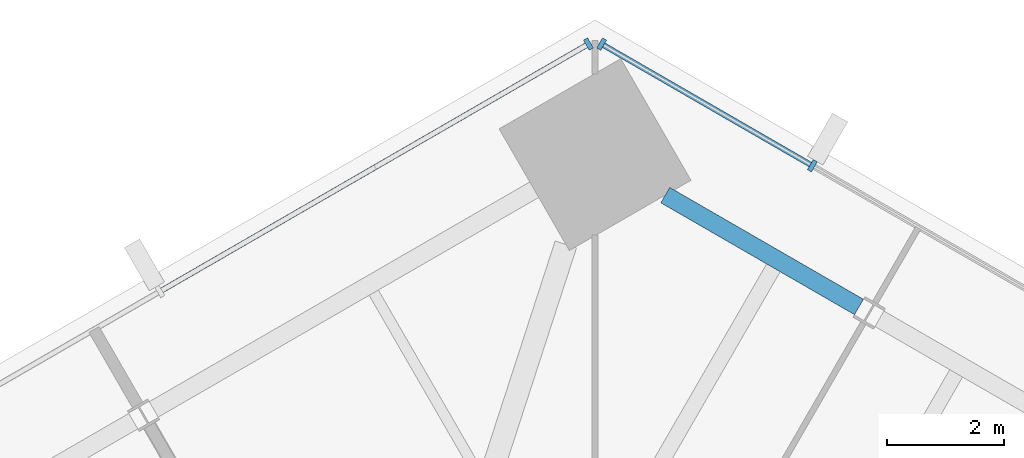
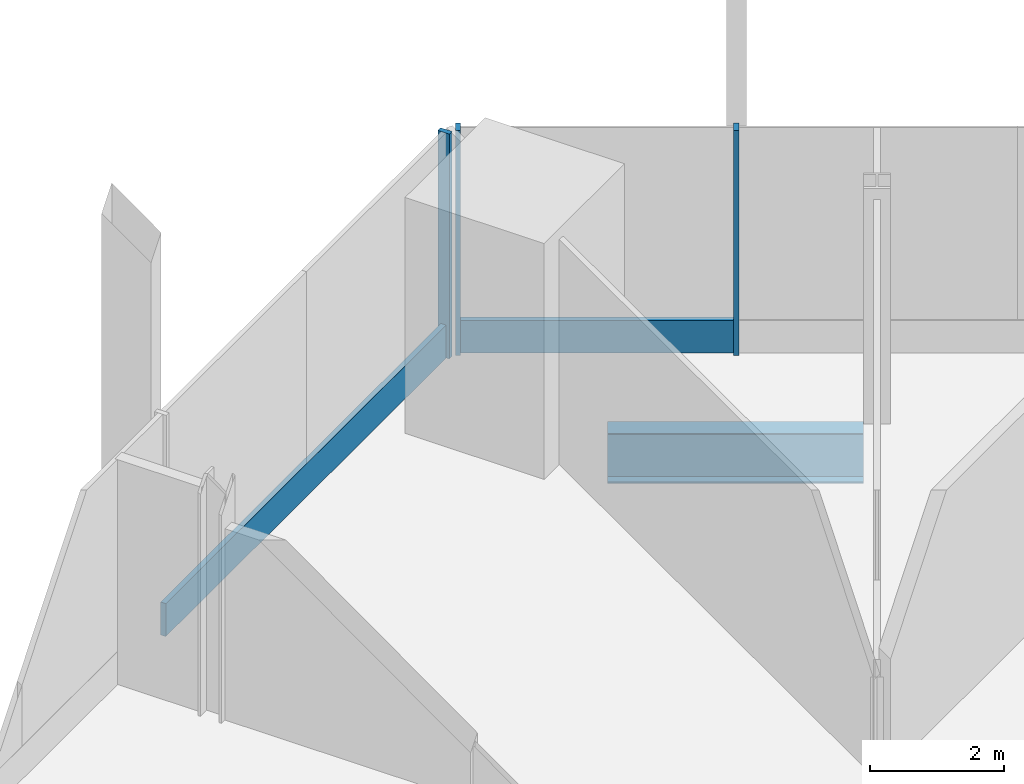
# One storey, part 8 of 19: 5 members, 1 beam, 2 elements without a shape of their own.
"""IFC4 building model written with IfcOpenShell, lengths in metres."""

from ifc_helpers import new_model, si_unit, direction, frame, origin, origin_2d, place, context, subcontext, project, spatial, rectangle, i_section, extrude, source, transform, mapped, material, material_profile, profile_set, type_object, element, aggregate, save


model = new_model("IFC4")

# Units and contexts
model_context = context("Model", 3, precision=1e-05, world=origin(), true_north=direction((0.0, 1.0)))
body_context = subcontext(model_context, "Body", "Model", "MODEL_VIEW")
ifc_project = project(units=[si_unit("LENGTHUNIT", "METRE"), si_unit("AREAUNIT", "SQUARE_METRE"), si_unit("VOLUMEUNIT", "CUBIC_METRE"), si_unit("PLANEANGLEUNIT", "RADIAN"), si_unit("MASSUNIT", "GRAM", prefix="KILO")], contexts=[model_context])

# Site, building, storey
site_placement = place(None, origin())
site = spatial("IfcSite", under=ifc_project, at=site_placement, CompositionType="ELEMENT")
building_placement = place(site_placement, origin())
building = spatial("IfcBuilding", under=site, at=building_placement, Name="Triune Harvest Tower", CompositionType="ELEMENT")
storey_placement = place(building_placement, frame((0.0, 0.0, 24.60009765625)))
storey = spatial("IfcBuildingStorey", under=building, at=storey_placement, Name="L05", CompositionType="ELEMENT", Elevation=24.60009765625)

# Beam
ifc_material_1 = material(Name="Steel ASTM A992 Gr 50", Category="steel")
ifc_material_profile_1 = material_profile(ifc_material_1, i_section(OverallWidth=0.3046875, OverallDepth=0.914306640625, WebThickness=0.0166015625, FlangeThickness=0.02587890625, at=origin_2d()), Name="W36x160")
ifc_profile_set_1 = profile_set([ifc_material_profile_1], Name="Steel ASTM A992 Gr 50")
beam_type = type_object("IfcBeamType", Name="SB-1 Spandrel beam W36x160", PredefinedType="SPANDREL", material=ifc_profile_set_1)
shared_shape_1 = source(origin(), body_context, "Body", "SweptSolid", [
    extrude(i_section(OverallWidth=0.3046875, OverallDepth=0.914306640625, WebThickness=0.0166015625, FlangeThickness=0.02587890625, at=origin_2d()), origin(), (0.0, 0.0, 1.0), 3.822509765625),
])
beam_placement = place(storey_placement, frame((16.8193359375, 29.535888671875, -0.6572265625), z_axis=(-0.866005830769, 0.500033899925, 0.0), x_axis=(-0.500033899925, -0.866005830769, 0.0)))
element("IfcBeam", 1, at=beam_placement, inside=storey, type_object=beam_type, Name="beam/L05/SB8", PredefinedType="SPANDREL", context=body_context, shape_type="MappedRepresentation", body=[
    mapped(shared_shape_1, transform((0.0, 0.0, 0.0), scale=1.0)),
])

# Curtain wall, members
ifc_material_2 = material(Name="Aluminium bronze anodised", Category="aluminium")
curtain_wall_type_1 = type_object("IfcCurtainWallType", Name="CW-3 Farm floor curtain wall", PredefinedType="NOTDEFINED", material=ifc_material_2)
curtain_wall_1_placement = place(storey_placement, origin())
curtain_wall_1 = element("IfcCurtainWall", 2, at=curtain_wall_1_placement, inside=storey, type_object=curtain_wall_type_1, Name="CW-3 B1-F2 L05 run 1")
ifc_material_3 = material(Name="Aluminium bronze anodised", Category="aluminium")
ifc_material_profile_2 = material_profile(ifc_material_3, rectangle(XDim=0.090087890625, YDim=0.60009765625, at=origin_2d()), Name="TR-3 transom 90 x 600")
ifc_profile_set_2 = profile_set([ifc_material_profile_2], Name="Aluminium bronze anodised")
member_type_1 = type_object("IfcMemberType", Name="TR-3 transom 90 x 600", PredefinedType="USERDEFINED", material=ifc_profile_set_2)
shared_shape_2 = source(origin(), body_context, "Body", "SweptSolid", [
    extrude(rectangle(XDim=0.090087890625, YDim=0.60009765625, at=origin_2d()), origin(), (0.0, 0.0, 1.0), 4.077880859375),
])
member_1_placement = place(storey_placement, frame((15.98779296875, 31.9697265625, 0.2998046875), z_axis=(-0.866035038465, 0.499983311872, 0.0), x_axis=(-0.499983311872, -0.866035038465, 0.0)))
member_1 = element("IfcMember", 3, at=member_1_placement, type_object=member_type_1, Name="CW-3 transom B1-F2 1.2", ObjectType="TRANSOM", PredefinedType="USERDEFINED", context=body_context, shape_type="MappedRepresentation", body=[
    mapped(shared_shape_2, transform((0.0, 0.0, 0.0), scale=1.0)),
])
ifc_material_4 = material(Name="Aluminium bronze anodised", Category="aluminium")
ifc_material_profile_3 = material_profile(ifc_material_4, rectangle(XDim=0.199951171875, YDim=0.080078125, at=origin_2d()), Name="MU-3 mullion 80 x 200")
ifc_profile_set_3 = profile_set([ifc_material_profile_3], Name="Aluminium bronze anodised")
member_type_2 = type_object("IfcMemberType", Name="MU-3 mullion 80 x 200", PredefinedType="MULLION", material=ifc_profile_set_3)
shared_shape_3 = source(origin(), body_context, "Body", "SweptSolid", [
    extrude(rectangle(XDim=0.199951171875, YDim=0.080078125, at=origin_2d()), origin(), (0.0, 0.0, 1.0), 4.099853515625),
])
member_2_placement = place(storey_placement, frame((16.0224609375, 31.94970703125, 0.0), z_axis=(0.0, 0.0, 1.0), x_axis=(-0.499998715149, -0.866026145592, 0.0)))
member_2 = element("IfcMember", 4, at=member_2_placement, type_object=member_type_2, Name="CW-3 mullion B1-F2 1.3", PredefinedType="MULLION", context=body_context, shape_type="MappedRepresentation", body=[
    mapped(shared_shape_3, transform((0.0, 0.0, 0.0), scale=1.0)),
])
member_3_placement = place(storey_placement, frame((12.421630859375, 34.028564453125, 0.0), z_axis=(0.0, 0.0, 1.0), x_axis=(-0.499998715149, -0.866026145592, 0.0)))
member_3 = element("IfcMember", 5, at=member_3_placement, type_object=member_type_2, Name="CW-3 mullion B1-F2 1.4", PredefinedType="MULLION", context=body_context, shape_type="MappedRepresentation", body=[
    mapped(shared_shape_3, transform((0.0, 0.0, 0.0), scale=1.0)),
])
aggregate(curtain_wall_1, [member_2, member_3, member_1])

ifc_material_5 = material(Name="Aluminium bronze anodised", Category="aluminium")
curtain_wall_type_2 = type_object("IfcCurtainWallType", Name="CW-8 Farm floor curtain wall with insulated spandrel infill", PredefinedType="NOTDEFINED", material=ifc_material_5)
curtain_wall_2_placement = place(storey_placement, origin())
curtain_wall_2 = element("IfcCurtainWall", 6, at=curtain_wall_2_placement, inside=storey, type_object=curtain_wall_type_2, Name="CW-8 B1-F3 L05 run 1")
member_4_placement = place(storey_placement, frame((12.196533203125, 34.028564453125, 0.0), z_axis=(0.0, 0.0, 1.0), x_axis=(0.499998768415, -0.866026114839, 0.0)))
member_4 = element("IfcMember", 7, at=member_4_placement, type_object=member_type_2, Name="CW-8 mullion B1-F3 1.1", PredefinedType="MULLION", context=body_context, shape_type="MappedRepresentation", body=[
    mapped(shared_shape_3, transform((0.0, 0.0, 0.0), scale=1.0)),
])
shared_shape_4 = source(origin(), body_context, "Body", "SweptSolid", [
    extrude(rectangle(XDim=0.090087890625, YDim=0.60009765625, at=origin_2d()), origin(), (0.0, 0.0, 1.0), 8.37744140625),
])
member_5_placement = place(storey_placement, frame((12.161865234375, 34.008544921875, 0.2998046875), z_axis=(-0.866026892193, -0.499997421992, 0.0), x_axis=(0.499997421992, -0.866026892193, 0.0)))
member_5 = element("IfcMember", 8, at=member_5_placement, type_object=member_type_1, Name="CW-8 transom B1-F3 1.1", ObjectType="TRANSOM", PredefinedType="USERDEFINED", context=body_context, shape_type="MappedRepresentation", body=[
    mapped(shared_shape_4, transform((0.0, 0.0, 0.0), scale=1.0)),
])
aggregate(curtain_wall_2, [member_4, member_5])

save(model, "model.ifc")
